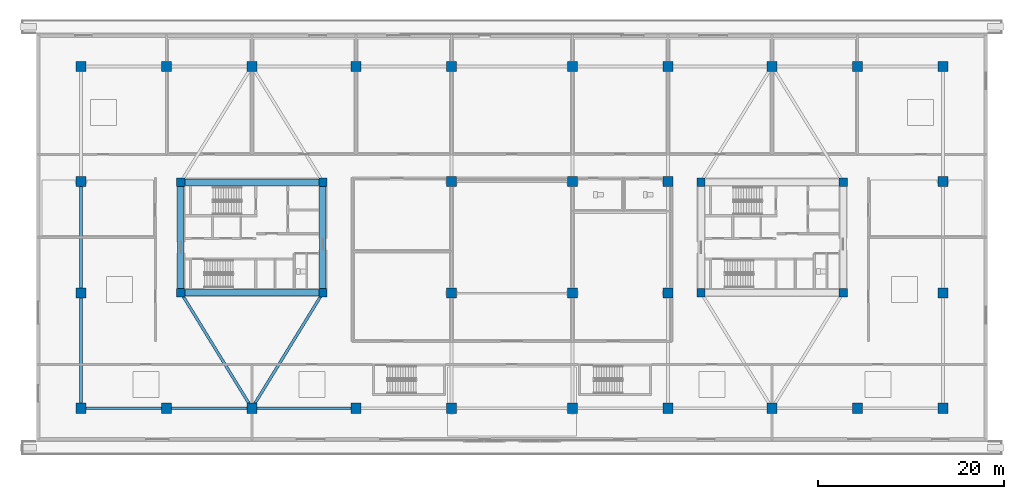
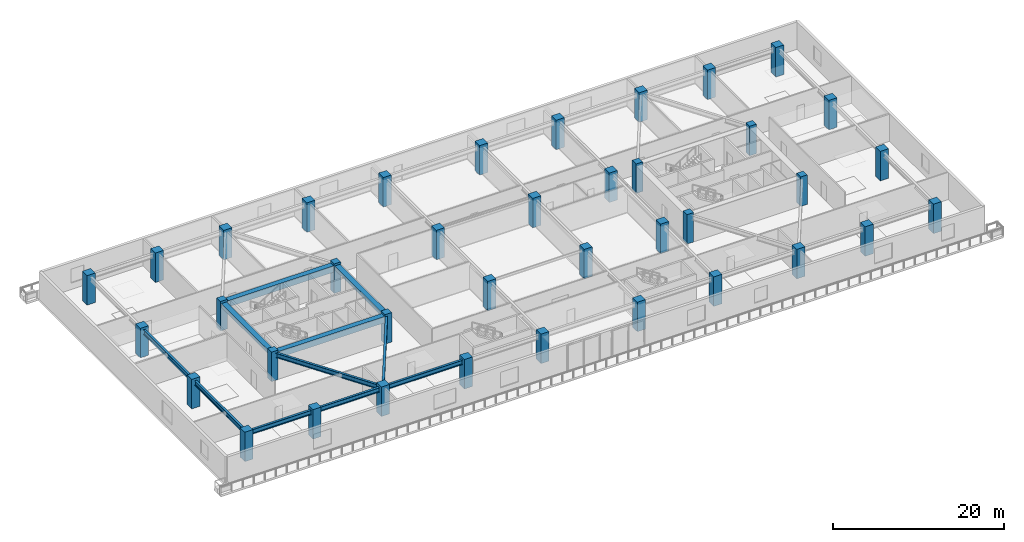
# One storey, part 1 of 23: 38 columns, 11 beams.
"""IFC4 building model written with IfcOpenShell, lengths in metres."""

from ifc_helpers import new_model, si_unit, direction, frame, origin, origin_2d, place, context, subcontext, project, spatial, rectangle, i_section, extrude, source, transform, mapped, material, material_profile, profile_set, type_object, type_shapes, element, save


model = new_model("IFC4")

# Units and contexts
model_context = context("Model", 3, precision=1e-05, world=origin(), true_north=direction((0.0, 1.0)))
body_context = subcontext(model_context, "Body", "Model", "MODEL_VIEW")
ifc_project = project(units=[si_unit("LENGTHUNIT", "METRE"), si_unit("AREAUNIT", "SQUARE_METRE"), si_unit("VOLUMEUNIT", "CUBIC_METRE"), si_unit("PLANEANGLEUNIT", "RADIAN"), si_unit("MASSUNIT", "GRAM", prefix="KILO")], contexts=[model_context])

# Site, building, storey
site_placement = place(None, origin())
site = spatial("IfcSite", under=ifc_project, at=site_placement, CompositionType="ELEMENT")
building_placement = place(site_placement, origin())
building = spatial("IfcBuilding", under=site, at=building_placement, Name="Norrkilde Senior Care Towers", CompositionType="ELEMENT")
storey_placement = place(building_placement, frame((0.0, 0.0, 8.39990234375)))
storey = spatial("IfcBuildingStorey", under=building, at=storey_placement, Name="L02", CompositionType="ELEMENT", Elevation=8.39990234375)

# Columns
ifc_material_1 = material(Name="Concrete C60/75", Category="concrete")
ifc_material_profile_1 = material_profile(ifc_material_1, rectangle(XDim=0.89990234375, YDim=0.89990234375, at=origin_2d()), Name="RC COL 900x900")
ifc_profile_set_1 = profile_set([ifc_material_profile_1], Name="Concrete C60/75")
column_type_1 = type_object("IfcColumnType", Name="Column Core Corner Z1-Z2 900", PredefinedType="COLUMN", material=ifc_profile_set_1)
shared_shape_1 = source(origin(), body_context, "Body", "SweptSolid", [
    extrude(rectangle(XDim=0.89990234375, YDim=0.89990234375, at=origin_2d()), origin(), (0.0, 0.0, 1.0), 4.2001953125),
])
type_shapes(column_type_1, [shared_shape_1])
for number, where, z_axis, x_axis, name in (
    (1, (-35.64990234375, -5.949951171875, 0.0), (0.0, 0.0, 1.0), (1.0, 0.0, 0.0), "L02 Core W Corner Column 1"),
    (2, (-20.35009765625, -5.949951171875, 0.0), (0.0, 0.0, 1.0), (1.0, 0.0, 0.0), "L02 Core W Corner Column 2"),
    (3, (-20.35009765625, 5.949951171875, 0.0), (0.0, 0.0, 1.0), (1.0, 0.0, 0.0), "L02 Core W Corner Column 3"),
    (4, (-35.64990234375, 5.949951171875, 0.0), (0.0, 0.0, 1.0), (1.0, 0.0, 0.0), "L02 Core W Corner Column 4"),
    (5, (20.35009765625, -5.949951171875, 0.0), (0.0, 0.0, 1.0), (1.0, 0.0, 0.0), "L02 Core E Corner Column 1"),
    (6, (35.64990234375, -5.949951171875, 0.0), (0.0, 0.0, 1.0), (1.0, 0.0, 0.0), "L02 Core E Corner Column 2"),
    (7, (35.64990234375, 5.949951171875, 0.0), (0.0, 0.0, 1.0), (1.0, 0.0, 0.0), "L02 Core E Corner Column 3"),
    (8, (20.35009765625, 5.949951171875, 0.0), (0.0, 0.0, 1.0), (1.0, 0.0, 0.0), "L02 Core E Corner Column 4"),
):
    element("IfcColumn", number, at=place(storey_placement, frame(where, z_axis=z_axis, x_axis=x_axis)), inside=storey, type_object=column_type_1, Name=name, PredefinedType="COLUMN", context=body_context, shape_type="MappedRepresentation", body=[
        mapped(shared_shape_1, transform((0.0, 0.0, 0.0), x_axis=(1.0, 0.0, 0.0), y_axis=(0.0, 1.0, 0.0), z_axis=(0.0, 0.0, 1.0), scale=1.0)),
    ])
ifc_material_profile_2 = material_profile(ifc_material_1, rectangle(XDim=1.10009765625, YDim=1.10009765625, at=origin_2d()), Name="RC COL 1100x1100")
ifc_profile_set_2 = profile_set([ifc_material_profile_2], Name="Concrete C60/75")
column_type_2 = type_object("IfcColumnType", Name="Column Podium Frame 1100", PredefinedType="COLUMN", material=ifc_profile_set_2)
shared_shape_2 = source(origin(), body_context, "Body", "SweptSolid", [
    extrude(rectangle(XDim=1.10009765625, YDim=1.10009765625, at=origin_2d()), origin(), (0.0, 0.0, 1.0), 4.2001953125),
])
type_shapes(column_type_2, [shared_shape_2])
for number, where, z_axis, x_axis, name in (
    (9, (-46.39990234375, -18.39990234375, 0.0), (0.0, 0.0, 1.0), (1.0, 0.0, 0.0), "L02 Podium Mega Column 01"),
    (10, (-37.199951171875, -18.39990234375, 0.0), (0.0, 0.0, 1.0), (1.0, 0.0, 0.0), "L02 Podium Mega Column 02"),
    (11, (-28.0, -18.39990234375, 0.0), (0.0, 0.0, 1.0), (1.0, 0.0, 0.0), "L02 Podium Mega Column 03"),
    (12, (-16.800048828125, -18.39990234375, 0.0), (0.0, 0.0, 1.0), (1.0, 0.0, 0.0), "L02 Podium Mega Column 04"),
    (13, (-6.5, -18.39990234375, 0.0), (0.0, 0.0, 1.0), (1.0, 0.0, 0.0), "L02 Podium Mega Column 05"),
    (14, (6.5, -18.39990234375, 0.0), (0.0, 0.0, 1.0), (1.0, 0.0, 0.0), "L02 Podium Mega Column 06"),
    (15, (16.800048828125, -18.39990234375, 0.0), (0.0, 0.0, 1.0), (1.0, 0.0, 0.0), "L02 Podium Mega Column 07"),
    (16, (28.0, -18.39990234375, 0.0), (0.0, 0.0, 1.0), (1.0, 0.0, 0.0), "L02 Podium Mega Column 08"),
    (17, (37.199951171875, -18.39990234375, 0.0), (0.0, 0.0, 1.0), (1.0, 0.0, 0.0), "L02 Podium Mega Column 09"),
    (18, (46.39990234375, -18.39990234375, 0.0), (0.0, 0.0, 1.0), (1.0, 0.0, 0.0), "L02 Podium Mega Column 10"),
    (19, (-46.39990234375, 18.39990234375, 0.0), (0.0, 0.0, 1.0), (1.0, 0.0, 0.0), "L02 Podium Mega Column 11"),
    (20, (-37.199951171875, 18.39990234375, 0.0), (0.0, 0.0, 1.0), (1.0, 0.0, 0.0), "L02 Podium Mega Column 12"),
    (21, (-28.0, 18.39990234375, 0.0), (0.0, 0.0, 1.0), (1.0, 0.0, 0.0), "L02 Podium Mega Column 13"),
    (22, (-16.800048828125, 18.39990234375, 0.0), (0.0, 0.0, 1.0), (1.0, 0.0, 0.0), "L02 Podium Mega Column 14"),
    (23, (-6.5, 18.39990234375, 0.0), (0.0, 0.0, 1.0), (1.0, 0.0, 0.0), "L02 Podium Mega Column 15"),
    (24, (6.5, 18.39990234375, 0.0), (0.0, 0.0, 1.0), (1.0, 0.0, 0.0), "L02 Podium Mega Column 16"),
    (25, (16.800048828125, 18.39990234375, 0.0), (0.0, 0.0, 1.0), (1.0, 0.0, 0.0), "L02 Podium Mega Column 17"),
    (26, (28.0, 18.39990234375, 0.0), (0.0, 0.0, 1.0), (1.0, 0.0, 0.0), "L02 Podium Mega Column 18"),
    (27, (37.199951171875, 18.39990234375, 0.0), (0.0, 0.0, 1.0), (1.0, 0.0, 0.0), "L02 Podium Mega Column 19"),
    (28, (46.39990234375, 18.39990234375, 0.0), (0.0, 0.0, 1.0), (1.0, 0.0, 0.0), "L02 Podium Mega Column 20"),
    (29, (-46.39990234375, -6.0, 0.0), (0.0, 0.0, 1.0), (1.0, 0.0, 0.0), "L02 Podium Mega Column 21"),
    (30, (-46.39990234375, 6.0, 0.0), (0.0, 0.0, 1.0), (1.0, 0.0, 0.0), "L02 Podium Mega Column 22"),
    (31, (-6.5, -6.0, 0.0), (0.0, 0.0, 1.0), (1.0, 0.0, 0.0), "L02 Podium Mega Column 23"),
    (32, (-6.5, 6.0, 0.0), (0.0, 0.0, 1.0), (1.0, 0.0, 0.0), "L02 Podium Mega Column 24"),
    (33, (6.5, -6.0, 0.0), (0.0, 0.0, 1.0), (1.0, 0.0, 0.0), "L02 Podium Mega Column 25"),
    (34, (6.5, 6.0, 0.0), (0.0, 0.0, 1.0), (1.0, 0.0, 0.0), "L02 Podium Mega Column 26"),
    (35, (16.800048828125, -6.0, 0.0), (0.0, 0.0, 1.0), (1.0, 0.0, 0.0), "L02 Podium Mega Column 27"),
    (36, (16.800048828125, 6.0, 0.0), (0.0, 0.0, 1.0), (1.0, 0.0, 0.0), "L02 Podium Mega Column 28"),
    (37, (46.39990234375, -6.0, 0.0), (0.0, 0.0, 1.0), (1.0, 0.0, 0.0), "L02 Podium Mega Column 29"),
    (38, (46.39990234375, 6.0, 0.0), (0.0, 0.0, 1.0), (1.0, 0.0, 0.0), "L02 Podium Mega Column 30"),
):
    element("IfcColumn", number, at=place(storey_placement, frame(where, z_axis=z_axis, x_axis=x_axis)), inside=storey, type_object=column_type_2, Name=name, PredefinedType="COLUMN", context=body_context, shape_type="MappedRepresentation", body=[
        mapped(shared_shape_2, transform((0.0, 0.0, 0.0), x_axis=(1.0, 0.0, 0.0), y_axis=(0.0, 1.0, 0.0), z_axis=(0.0, 0.0, 1.0), scale=1.0)),
    ])

# Beams
ifc_material_profile_3 = material_profile(ifc_material_1, rectangle(XDim=0.699951171875, YDim=0.89990234375, at=origin_2d()), Name="RC BM 700x900")
ifc_profile_set_3 = profile_set([ifc_material_profile_3], Name="Concrete C60/75")
beam_type_1 = type_object("IfcBeamType", Name="Core Coupling Girder 700x900", PredefinedType="USERDEFINED", material=ifc_profile_set_3)
shared_shape_3 = source(origin(), body_context, "Body", "SweptSolid", [
    extrude(rectangle(XDim=0.699951171875, YDim=0.89990234375, at=origin_2d()), origin(), (0.0, 0.0, 1.0), 14.43994140625),
])
type_shapes(beam_type_1, [shared_shape_3])
for number, where, z_axis, x_axis, name in (
    (39, (-35.219970703125, 5.949951171875, 3.43017578125), (1.0, 0.0, 0.0), (0.0, 1.0, 0.0), "L02 Core W N Coupling Girder"),
    (40, (-35.219970703125, -5.949951171875, 3.43017578125), (1.0, 0.0, 0.0), (0.0, 1.0, 0.0), "L02 Core W S Coupling Girder"),
):
    element("IfcBeam", number, at=place(storey_placement, frame(where, z_axis=z_axis, x_axis=x_axis)), inside=storey, type_object=beam_type_1, Name=name, ObjectType="GIRDER", PredefinedType="USERDEFINED", context=body_context, shape_type="MappedRepresentation", body=[
        mapped(shared_shape_3, transform((0.0, 0.0, 0.0), x_axis=(1.0, 0.0, 0.0), y_axis=(0.0, 1.0, 0.0), z_axis=(0.0, 0.0, 1.0), scale=1.0)),
    ])
ifc_material_profile_4 = material_profile(ifc_material_1, rectangle(XDim=0.699951171875, YDim=0.550048828125, at=origin_2d()), Name="RC BM 700x550")
ifc_profile_set_4 = profile_set([ifc_material_profile_4], Name="Concrete C60/75")
beam_type_2 = type_object("IfcBeamType", Name="Core Portal Coupling Beam 700x550", PredefinedType="USERDEFINED", material=ifc_profile_set_4)
shared_shape_4 = source(origin(), body_context, "Body", "SweptSolid", [
    extrude(rectangle(XDim=0.699951171875, YDim=0.550048828125, at=origin_2d()), origin(), (0.0, 0.0, 1.0), 11.0400390625),
])
type_shapes(beam_type_2, [shared_shape_4])
for number, where, z_axis, x_axis, name in (
    (41, (-35.64990234375, -5.52001953125, 3.60498046875), (0.0, 1.0, 0.0), (-1.0, 0.0, 0.0), "L02 Core W W Coupling Girder"),
    (42, (-20.35009765625, -5.52001953125, 3.60498046875), (0.0, 1.0, 0.0), (-1.0, 0.0, 0.0), "L02 Core W E Coupling Girder"),
):
    element("IfcBeam", number, at=place(storey_placement, frame(where, z_axis=z_axis, x_axis=x_axis)), inside=storey, type_object=beam_type_2, Name=name, ObjectType="GIRDER", PredefinedType="USERDEFINED", context=body_context, shape_type="MappedRepresentation", body=[
        mapped(shared_shape_4, transform((0.0, 0.0, 0.0), x_axis=(1.0, 0.0, 0.0), y_axis=(0.0, 1.0, 0.0), z_axis=(0.0, 0.0, 1.0), scale=1.0)),
    ])
ifc_material_2 = material(Name="Steel S355", Category="steel")
ifc_material_profile_5 = material_profile(ifc_material_2, i_section(OverallWidth=0.300048828125, OverallDepth=0.64990234375, WebThickness=0.01611328125, FlangeThickness=0.031005859375, FilletRadius=0.027099609375, at=origin_2d()), Name="HEB 650")
ifc_profile_set_5 = profile_set([ifc_material_profile_5], Name="Steel S355")
beam_type_3 = type_object("IfcBeamType", Name="Podium Primary Beam HEB650", PredefinedType="BEAM", material=ifc_profile_set_5)
shared_shape_5 = source(origin(), body_context, "Body", "SweptSolid", [
    extrude(i_section(OverallWidth=0.300048828125, OverallDepth=0.64990234375, WebThickness=0.01611328125, FlangeThickness=0.031005859375, FilletRadius=0.027099609375, at=origin_2d()), origin(), (0.0, 0.0, 1.0), 8.300048828125),
])
for number, where, z_axis, x_axis, name in (
    (43, (-45.949951171875, -18.39990234375, 3.55517578125), (1.0, 0.0, 0.0), (0.0, 1.0, 0.0), "L02 Podium E-W Frame Beam 1.1"),
    (44, (-36.75, -18.39990234375, 3.55517578125), (1.0, 0.0, 0.0), (0.0, 1.0, 0.0), "L02 Podium E-W Frame Beam 1.2"),
):
    element("IfcBeam", number, at=place(storey_placement, frame(where, z_axis=z_axis, x_axis=x_axis)), inside=storey, type_object=beam_type_3, Name=name, PredefinedType="BEAM", context=body_context, shape_type="MappedRepresentation", body=[
        mapped(shared_shape_5, transform((0.0, 0.0, 0.0), x_axis=(1.0, 0.0, 0.0), y_axis=(0.0, 1.0, 0.0), z_axis=(0.0, 0.0, 1.0), scale=1.0)),
    ])
shared_shape_6 = source(origin(), body_context, "Body", "SweptSolid", [
    extrude(i_section(OverallWidth=0.300048828125, OverallDepth=0.64990234375, WebThickness=0.01611328125, FlangeThickness=0.031005859375, FilletRadius=0.027099609375, at=origin_2d()), origin(), (0.0, 0.0, 1.0), 10.300048828125),
])
beam_1_placement = place(storey_placement, frame((-27.550048828125, -18.39990234375, 3.55517578125), z_axis=(1.0, 0.0, 0.0), x_axis=(0.0, 1.0, 0.0)))
element("IfcBeam", 45, at=beam_1_placement, inside=storey, type_object=beam_type_3, Name="L02 Podium E-W Frame Beam 1.3", PredefinedType="BEAM", context=body_context, shape_type="MappedRepresentation", body=[
    mapped(shared_shape_6, transform((0.0, 0.0, 0.0), x_axis=(1.0, 0.0, 0.0), y_axis=(0.0, 1.0, 0.0), z_axis=(0.0, 0.0, 1.0), scale=1.0)),
])
shared_shape_7 = source(origin(), body_context, "Body", "SweptSolid", [
    extrude(i_section(OverallWidth=0.300048828125, OverallDepth=0.64990234375, WebThickness=0.01611328125, FlangeThickness=0.031005859375, FilletRadius=0.027099609375, at=origin_2d()), origin(), (0.0, 0.0, 1.0), 11.5),
])
beam_2_placement = place(storey_placement, frame((-46.39990234375, -17.949951171875, 3.55517578125), z_axis=(0.0, 1.0, 0.0), x_axis=(-1.0, 0.0, 0.0)))
element("IfcBeam", 46, at=beam_2_placement, inside=storey, type_object=beam_type_3, Name="L02 Podium N-S Frame Beam 1.1", PredefinedType="BEAM", context=body_context, shape_type="MappedRepresentation", body=[
    mapped(shared_shape_7, transform((0.0, 0.0, 0.0), x_axis=(1.0, 0.0, 0.0), y_axis=(0.0, 1.0, 0.0), z_axis=(0.0, 0.0, 1.0), scale=1.0)),
])
shared_shape_8 = source(origin(), body_context, "Body", "SweptSolid", [
    extrude(i_section(OverallWidth=0.300048828125, OverallDepth=0.64990234375, WebThickness=0.01611328125, FlangeThickness=0.031005859375, FilletRadius=0.027099609375, at=origin_2d()), origin(), (0.0, 0.0, 1.0), 11.10009765625),
])
beam_3_placement = place(storey_placement, frame((-46.39990234375, -5.550048828125, 3.55517578125), z_axis=(0.0, 1.0, 0.0), x_axis=(-1.0, 0.0, 0.0)))
element("IfcBeam", 47, at=beam_3_placement, inside=storey, type_object=beam_type_3, Name="L02 Podium N-S Frame Beam 1.2", PredefinedType="BEAM", context=body_context, shape_type="MappedRepresentation", body=[
    mapped(shared_shape_8, transform((0.0, 0.0, 0.0), x_axis=(1.0, 0.0, 0.0), y_axis=(0.0, 1.0, 0.0), z_axis=(0.0, 0.0, 1.0), scale=1.0)),
])
shared_shape_9 = source(origin(), body_context, "Body", "SweptSolid", [
    extrude(i_section(OverallWidth=0.300048828125, OverallDepth=0.64990234375, WebThickness=0.01611328125, FlangeThickness=0.031005859375, FilletRadius=0.027099609375, at=origin_2d()), origin(), (0.0, 0.0, 1.0), 13.742431640625),
])
type_shapes(beam_type_3, [shared_shape_5, shared_shape_6, shared_shape_7, shared_shape_8, shared_shape_9])
for number, where, z_axis, x_axis, name in (
    (48, (-28.235595703125, -18.0166015625, 3.55517578125), (-0.523527368138, 0.852008858411, 0.0), (-0.852008858411, -0.523527368138, 0.0), "L02 Core W Tie Beam 1"),
    (49, (-27.764404296875, -18.0166015625, 3.55517578125), (0.523527368138, 0.852008858411, 0.0), (-0.852008858411, 0.523527368138, 0.0), "L02 Core W Tie Beam 2"),
):
    element("IfcBeam", number, at=place(storey_placement, frame(where, z_axis=z_axis, x_axis=x_axis)), inside=storey, type_object=beam_type_3, Name=name, PredefinedType="BEAM", context=body_context, shape_type="MappedRepresentation", body=[
        mapped(shared_shape_9, transform((0.0, 0.0, 0.0), x_axis=(1.0, 0.0, 0.0), y_axis=(0.0, 1.0, 0.0), z_axis=(0.0, 0.0, 1.0), scale=1.0)),
    ])

save(model, "model.ifc")
